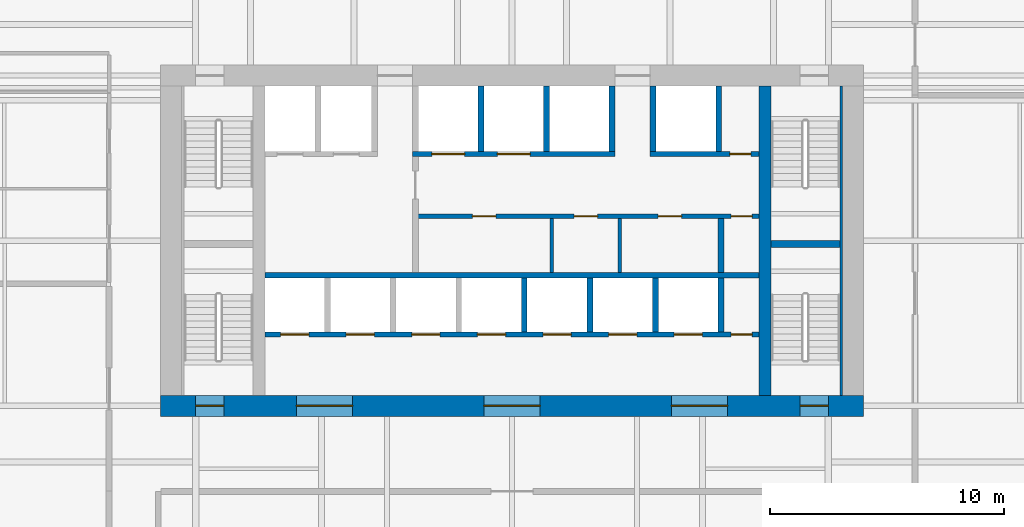
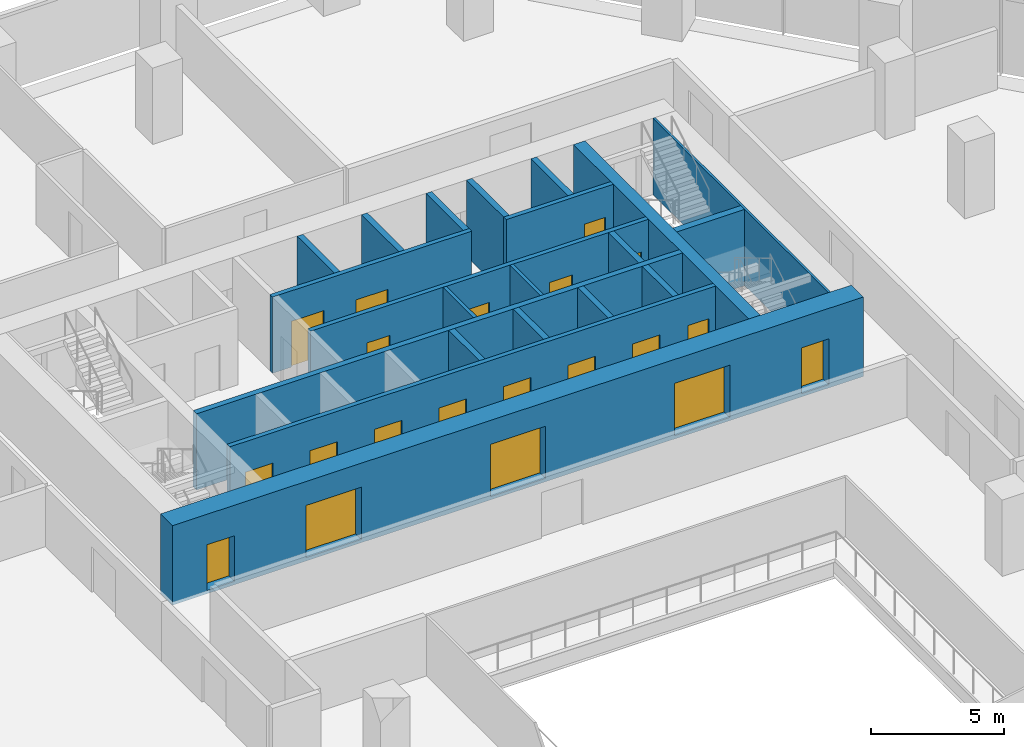
# One storey, part 15 of 19: 21 walls, 20 doors, 20 openings.
"""IFC4 building model written with IfcOpenShell, lengths in metres."""

from ifc_helpers import new_model, si_unit, direction, frame, frame_2d, origin, place, context, subcontext, project, spatial, rectangle, extrude, material, layer, layer_set, type_object, element, fill, save


model = new_model("IFC4")

# Units and contexts
model_context = context("Model", 3, precision=1e-05, world=origin(), true_north=direction((0.0, 1.0)))
body_context = subcontext(model_context, "Body", "Model", "MODEL_VIEW")
ifc_project = project(units=[si_unit("LENGTHUNIT", "METRE"), si_unit("AREAUNIT", "SQUARE_METRE"), si_unit("VOLUMEUNIT", "CUBIC_METRE"), si_unit("PLANEANGLEUNIT", "RADIAN"), si_unit("MASSUNIT", "GRAM", prefix="KILO")], contexts=[model_context])

# Site, building, storey
site_placement = place(None, origin())
site = spatial("IfcSite", under=ifc_project, at=site_placement, CompositionType="ELEMENT")
building_placement = place(site_placement, origin())
building = spatial("IfcBuilding", under=site, at=building_placement, Name="Isthmus Gate Tower", CompositionType="ELEMENT")
storey_placement = place(building_placement, frame((0.0, 0.0, 91.60009765625)))
storey = spatial("IfcBuildingStorey", under=building, at=storey_placement, Name="L21", CompositionType="ELEMENT", Elevation=91.60009765625)

# Wall
ifc_material_1 = material(Name="Concrete f'c 70 MPa", Category="concrete")
ifc_layer_1 = layer(ifc_material_1, 0.5)
ifc_layer_set_1 = layer_set([ifc_layer_1], Name="RC CORE SPINE WALL 500 F'C 70")
wall_type_1 = type_object("IfcWallType", Name="RC CORE SPINE WALL 500 F'C 70", PredefinedType="SOLIDWALL", material=ifc_layer_set_1)
wall_1_placement = place(storey_placement, frame((10.800048828125, 0.89990234375, -0.150146484375), z_axis=(0.0, 0.0, 1.0), x_axis=(0.0, 1.0, 0.0)))
element("IfcWall", 1, at=wall_1_placement, inside=storey, type_object=wall_type_1, Name="str-corewall-L21-SPE", PredefinedType="SOLIDWALL", context=body_context, shape_type="SweptSolid", body=[
    extrude(rectangle(XDim=13.2001953125, YDim=0.5, at=frame_2d((6.60009765625, 0.0))), origin(), (0.0, 0.0, 1.0), 3.650146484375),
])

# Wall, openings, doors
ifc_material_2 = material(Name="Concrete f'c 70 MPa", Category="concrete")
ifc_layer_2 = layer(ifc_material_2, 0.89990234375)
ifc_layer_set_2 = layer_set([ifc_layer_2], Name="RC CORE WALL 900 F'C 70")
wall_type_2 = type_object("IfcWallType", Name="RC CORE WALL 900 F'C 70", PredefinedType="SOLIDWALL", material=ifc_layer_set_2)
wall_2_placement = place(storey_placement, frame((-15.0, 0.449951171875, -0.150146484375), z_axis=(0.0, 0.0, 1.0), x_axis=(1.0, 0.0, 0.0)))
wall_2 = element("IfcWall", 2, at=wall_2_placement, inside=storey, type_object=wall_type_2, Name="str-corewall-L21-S", PredefinedType="SOLIDWALL", context=body_context, shape_type="SweptSolid", body=[
    extrude(rectangle(XDim=30.0, YDim=0.89990234375, at=frame_2d((15.0, 0.0))), origin(), (0.0, 0.0, 1.0), 3.650146484375),
])
opening_1_placement = place(wall_2_placement, frame((5.800048828125, 0.0, 0.14990234375)))
opening_1 = element("IfcOpeningElement", 3, at=opening_1_placement, cuts=wall_2, Name="Opening DC-A02-08", PredefinedType="OPENING", context=body_context, shape_type="SweptSolid", body=[
    extrude(rectangle(XDim=2.39990234375, YDim=2.39990234375, at=frame_2d((1.199951171875, 1.199951171875))), frame((0.0, 0.4599609375, 0.0), z_axis=(0.0, -1.0, 0.0), x_axis=(1.0, 0.0, 0.0)), (0.0, 0.0, 1.0), 0.919921875),
])
opening_2_placement = place(wall_2_placement, frame((13.800048828125, 0.0, 0.14990234375)))
opening_2 = element("IfcOpeningElement", 4, at=opening_2_placement, cuts=wall_2, Name="Opening DC-A02-09", PredefinedType="OPENING", context=body_context, shape_type="SweptSolid", body=[
    extrude(rectangle(XDim=2.39990234375, YDim=2.39990234375, at=frame_2d((1.199951171875, 1.199951171875))), frame((0.0, 0.4599609375, 0.0), z_axis=(0.0, -1.0, 0.0), x_axis=(1.0, 0.0, 0.0)), (0.0, 0.0, 1.0), 0.919921875),
])
opening_3_placement = place(wall_2_placement, frame((21.800048828125, 0.0, 0.14990234375)))
opening_3 = element("IfcOpeningElement", 5, at=opening_3_placement, cuts=wall_2, Name="Opening DC-A02-10", PredefinedType="OPENING", context=body_context, shape_type="SweptSolid", body=[
    extrude(rectangle(XDim=2.39990234375, YDim=2.39990234375, at=frame_2d((1.199951171875, 1.199951171875))), frame((0.0, 0.4599609375, 0.0), z_axis=(0.0, -1.0, 0.0), x_axis=(1.0, 0.0, 0.0)), (0.0, 0.0, 1.0), 0.919921875),
])
opening_4_placement = place(wall_2_placement, frame((1.5, 0.0, 0.14990234375)))
opening_4 = element("IfcOpeningElement", 6, at=opening_4_placement, cuts=wall_2, Name="Opening DC-A02-15", PredefinedType="OPENING", context=body_context, shape_type="SweptSolid", body=[
    extrude(rectangle(XDim=1.199951171875, YDim=2.10009765625, at=frame_2d((0.60009765625, 1.050048828125))), frame((0.0, 0.4599609375, 0.0), z_axis=(0.0, -1.0, 0.0), x_axis=(1.0, 0.0, 0.0)), (0.0, 0.0, 1.0), 0.919921875),
])
opening_5_placement = place(wall_2_placement, frame((27.300048828125, 0.0, 0.14990234375)))
opening_5 = element("IfcOpeningElement", 7, at=opening_5_placement, cuts=wall_2, Name="Opening DC-A02-16", PredefinedType="OPENING", context=body_context, shape_type="SweptSolid", body=[
    extrude(rectangle(XDim=1.199951171875, YDim=2.10009765625, at=frame_2d((0.60009765625, 1.050048828125))), frame((0.0, 0.4599609375, 0.0), z_axis=(0.0, -1.0, 0.0), x_axis=(1.0, 0.0, 0.0)), (0.0, 0.0, 1.0), 0.919921875),
])
ifc_material_3 = material(Name="Laminated safety glass in steel frame, fire-rated", Category="steel")
door_type_1 = type_object("IfcDoorType", Name="LOBBY ENTRANCE FIRE DOOR 2400 X 2400 60 MIN", OperationType="DOUBLE_DOOR_DOUBLE_SWING", PredefinedType="DOOR", material=ifc_material_3)
door_1_placement = place(opening_1_placement, origin())
door_1 = element("IfcDoor", 8, at=door_1_placement, inside=storey, type_object=door_type_1, Name="Lobby Entrance PS-W", OperationType="DOUBLE_DOOR_DOUBLE_SWING", OverallHeight=2.39990234375, OverallWidth=2.39990234375, PredefinedType="DOOR", context=body_context, shape_type="SweptSolid", body=[
    extrude(rectangle(XDim=2.39990234375, YDim=2.39990234375, at=frame_2d((1.199951171875, 1.199951171875))), frame((0.0, 0.02490234375, 0.0), z_axis=(0.0, -1.0, 0.0), x_axis=(1.0, 0.0, 0.0)), (0.0, 0.0, 1.0), 0.050048828125),
])
fill(opening_1, door_1)
door_2_placement = place(opening_2_placement, origin())
door_2 = element("IfcDoor", 9, at=door_2_placement, inside=storey, type_object=door_type_1, Name="Lobby Entrance PS-C", OperationType="DOUBLE_DOOR_DOUBLE_SWING", OverallHeight=2.39990234375, OverallWidth=2.39990234375, PredefinedType="DOOR", context=body_context, shape_type="SweptSolid", body=[
    extrude(rectangle(XDim=2.39990234375, YDim=2.39990234375, at=frame_2d((1.199951171875, 1.199951171875))), frame((0.0, 0.02490234375, 0.0), z_axis=(0.0, -1.0, 0.0), x_axis=(1.0, 0.0, 0.0)), (0.0, 0.0, 1.0), 0.050048828125),
])
fill(opening_2, door_2)
door_3_placement = place(opening_3_placement, origin())
door_3 = element("IfcDoor", 10, at=door_3_placement, inside=storey, type_object=door_type_1, Name="Lobby Entrance PS-E", OperationType="DOUBLE_DOOR_DOUBLE_SWING", OverallHeight=2.39990234375, OverallWidth=2.39990234375, PredefinedType="DOOR", context=body_context, shape_type="SweptSolid", body=[
    extrude(rectangle(XDim=2.39990234375, YDim=2.39990234375, at=frame_2d((1.199951171875, 1.199951171875))), frame((0.0, 0.02490234375, 0.0), z_axis=(0.0, -1.0, 0.0), x_axis=(1.0, 0.0, 0.0)), (0.0, 0.0, 1.0), 0.050048828125),
])
fill(opening_3, door_3)
ifc_material_4 = material(Name="Steel door leaf, fire-rated", Category="steel")
door_type_2 = type_object("IfcDoorType", Name="STAIR FIRE DOOR 1200 X 2100 90 MIN", OperationType="SINGLE_SWING_LEFT", PredefinedType="DOOR", material=ifc_material_4)
door_4_placement = place(opening_4_placement, origin())
door_4 = element("IfcDoor", 11, at=door_4_placement, inside=storey, type_object=door_type_2, Name="Exit Stair 7 Door", OperationType="SINGLE_SWING_LEFT", OverallHeight=2.10009765625, OverallWidth=1.199951171875, PredefinedType="DOOR", context=body_context, shape_type="SweptSolid", body=[
    extrude(rectangle(XDim=1.199951171875, YDim=2.10009765625, at=frame_2d((0.60009765625, 1.050048828125))), frame((0.0, 0.02490234375, 0.0), z_axis=(0.0, -1.0, 0.0), x_axis=(1.0, 0.0, 0.0)), (0.0, 0.0, 1.0), 0.050048828125),
])
fill(opening_4, door_4)
door_5_placement = place(opening_5_placement, origin())
door_5 = element("IfcDoor", 12, at=door_5_placement, inside=storey, type_object=door_type_2, Name="Exit Stair 8 Door", OperationType="SINGLE_SWING_RIGHT", OverallHeight=2.10009765625, OverallWidth=1.199951171875, PredefinedType="DOOR", context=body_context, shape_type="SweptSolid", body=[
    extrude(rectangle(XDim=1.199951171875, YDim=2.10009765625, at=frame_2d((0.60009765625, 1.050048828125))), frame((0.0, 0.02490234375, 0.0), z_axis=(0.0, -1.0, 0.0), x_axis=(1.0, 0.0, 0.0)), (0.0, 0.0, 1.0), 0.050048828125),
])
fill(opening_5, door_5)

# Walls
ifc_material_5 = material(Name="Gypsum board on steel studs, fire-rated", Category="steel")
ifc_layer_3 = layer(ifc_material_5, 0.14990234375)
ifc_layer_set_3 = layer_set([ifc_layer_3], Name="ROOM PARTITION 150 60 MIN")
wall_type_3 = type_object("IfcWallType", Name="ROOM PARTITION 150 60 MIN", PredefinedType="PARTITIONING", material=ifc_layer_set_3)
for number, where, z_axis, x_axis, name in (
    (13, (1.699951171875, 6.14990234375, 0.0), (0.0, 0.0, 1.0), (0.0, 1.0, 0.0), "L21 ROOM PARTITION 150 60 MIN"),
    (14, (4.60009765625, 6.14990234375, 0.0), (0.0, 0.0, 1.0), (0.0, 1.0, 0.0), "L21 ROOM PARTITION 150 60 MIN"),
):
    element("IfcWall", number, at=place(storey_placement, frame(where, z_axis=z_axis, x_axis=x_axis)), inside=storey, type_object=wall_type_3, Name=name, PredefinedType="PARTITIONING", context=body_context, shape_type="SweptSolid", body=[
        extrude(rectangle(XDim=2.300048828125, YDim=0.14990234375, at=frame_2d((1.14990234375, 0.0))), origin(), (0.0, 0.0, 1.0), 3.5),
    ])

# Wall, openings, doors
ifc_material_6 = material(Name="Fire-rated blockwork masonry, 15 MPa", Category="masonry")
ifc_layer_4 = layer(ifc_material_6, 0.199951171875)
ifc_layer_set_4 = layer_set([ifc_layer_4], Name="SHAFT FRONT WALL 200 120 MIN")
wall_type_4 = type_object("IfcWallType", Name="SHAFT FRONT WALL 200 120 MIN", PredefinedType="PARTITIONING", material=ifc_layer_set_4)
wall_3_placement = place(storey_placement, frame((-10.550048828125, 3.5, 0.0), z_axis=(0.0, 0.0, 1.0), x_axis=(1.0, 0.0, 0.0)))
wall_3 = element("IfcWall", 15, at=wall_3_placement, inside=storey, type_object=wall_type_4, Name="L21 SHAFT FRONT WALL 200 120 MIN", PredefinedType="PARTITIONING", context=body_context, shape_type="SweptSolid", body=[
    extrude(rectangle(XDim=21.10009765625, YDim=0.199951171875, at=frame_2d((10.550048828125, 0.0))), origin(), (0.0, 0.0, 1.0), 3.5),
])
opening_6_placement = place(wall_3_placement, frame((0.675048828125, 0.0, 0.0)))
opening_6 = element("IfcOpeningElement", 16, at=opening_6_placement, cuts=wall_3, Name="Opening LD-LA1", PredefinedType="OPENING", context=body_context, shape_type="SweptSolid", body=[
    extrude(rectangle(XDim=1.199951171875, YDim=2.10009765625, at=frame_2d((0.60009765625, 1.050048828125))), frame((0.0, 0.10986328125, 0.0), z_axis=(0.0, -1.0, 0.0), x_axis=(1.0, 0.0, 0.0)), (0.0, 0.0, 1.0), 0.219970703125),
])
opening_7_placement = place(wall_3_placement, frame((3.47509765625, 0.0, 0.0)))
opening_7 = element("IfcOpeningElement", 17, at=opening_7_placement, cuts=wall_3, Name="Opening LD-LA2", PredefinedType="OPENING", context=body_context, shape_type="SweptSolid", body=[
    extrude(rectangle(XDim=1.199951171875, YDim=2.10009765625, at=frame_2d((0.60009765625, 1.050048828125))), frame((0.0, 0.10986328125, 0.0), z_axis=(0.0, -1.0, 0.0), x_axis=(1.0, 0.0, 0.0)), (0.0, 0.0, 1.0), 0.219970703125),
])
opening_8_placement = place(wall_3_placement, frame((6.27490234375, 0.0, 0.0)))
opening_8 = element("IfcOpeningElement", 18, at=opening_8_placement, cuts=wall_3, Name="Opening LD-LA3", PredefinedType="OPENING", context=body_context, shape_type="SweptSolid", body=[
    extrude(rectangle(XDim=1.199951171875, YDim=2.10009765625, at=frame_2d((0.60009765625, 1.050048828125))), frame((0.0, 0.10986328125, 0.0), z_axis=(0.0, -1.0, 0.0), x_axis=(1.0, 0.0, 0.0)), (0.0, 0.0, 1.0), 0.219970703125),
])
opening_9_placement = place(wall_3_placement, frame((9.074951171875, 0.0, 0.0)))
opening_9 = element("IfcOpeningElement", 19, at=opening_9_placement, cuts=wall_3, Name="Opening LD-LA4", PredefinedType="OPENING", context=body_context, shape_type="SweptSolid", body=[
    extrude(rectangle(XDim=1.199951171875, YDim=2.10009765625, at=frame_2d((0.60009765625, 1.050048828125))), frame((0.0, 0.10986328125, 0.0), z_axis=(0.0, -1.0, 0.0), x_axis=(1.0, 0.0, 0.0)), (0.0, 0.0, 1.0), 0.219970703125),
])
opening_10_placement = place(wall_3_placement, frame((11.875, 0.0, 0.0)))
opening_10 = element("IfcOpeningElement", 20, at=opening_10_placement, cuts=wall_3, Name="Opening LD-LA5", PredefinedType="OPENING", context=body_context, shape_type="SweptSolid", body=[
    extrude(rectangle(XDim=1.199951171875, YDim=2.10009765625, at=frame_2d((0.60009765625, 1.050048828125))), frame((0.0, 0.10986328125, 0.0), z_axis=(0.0, -1.0, 0.0), x_axis=(1.0, 0.0, 0.0)), (0.0, 0.0, 1.0), 0.219970703125),
])
opening_11_placement = place(wall_3_placement, frame((14.675048828125, 0.0, 0.0)))
opening_11 = element("IfcOpeningElement", 21, at=opening_11_placement, cuts=wall_3, Name="Opening LD-LA6", PredefinedType="OPENING", context=body_context, shape_type="SweptSolid", body=[
    extrude(rectangle(XDim=1.199951171875, YDim=2.10009765625, at=frame_2d((0.60009765625, 1.050048828125))), frame((0.0, 0.10986328125, 0.0), z_axis=(0.0, -1.0, 0.0), x_axis=(1.0, 0.0, 0.0)), (0.0, 0.0, 1.0), 0.219970703125),
])
opening_12_placement = place(wall_3_placement, frame((17.47509765625, 0.0, 0.0)))
opening_12 = element("IfcOpeningElement", 22, at=opening_12_placement, cuts=wall_3, Name="Opening LD-LA7", PredefinedType="OPENING", context=body_context, shape_type="SweptSolid", body=[
    extrude(rectangle(XDim=1.199951171875, YDim=2.10009765625, at=frame_2d((0.60009765625, 1.050048828125))), frame((0.0, 0.10986328125, 0.0), z_axis=(0.0, -1.0, 0.0), x_axis=(1.0, 0.0, 0.0)), (0.0, 0.0, 1.0), 0.219970703125),
])
opening_13_placement = place(wall_3_placement, frame((19.89990234375, 0.0, 0.0)))
opening_13 = element("IfcOpeningElement", 23, at=opening_13_placement, cuts=wall_3, Name="Opening DC-A02-02", PredefinedType="OPENING", context=body_context, shape_type="SweptSolid", body=[
    extrude(rectangle(XDim=0.89990234375, YDim=2.10009765625, at=frame_2d((0.449951171875, 1.050048828125))), frame((0.0, 0.10986328125, 0.0), z_axis=(0.0, -1.0, 0.0), x_axis=(1.0, 0.0, 0.0)), (0.0, 0.0, 1.0), 0.219970703125),
])
ifc_material_7 = material(Name="Stainless steel sliding leaf", Category="steel")
door_type_3 = type_object("IfcDoorType", Name="LIFT LANDING FIRE DOOR 1200 X 2100 90 MIN", OperationType="DOUBLE_DOOR_SLIDING", PredefinedType="DOOR", material=ifc_material_7)
door_6_placement = place(opening_6_placement, origin())
door_6 = element("IfcDoor", 24, at=door_6_placement, inside=storey, type_object=door_type_3, Name="Lift Landing Door LA1", OperationType="DOUBLE_DOOR_SLIDING", OverallHeight=2.10009765625, OverallWidth=1.199951171875, PredefinedType="DOOR", context=body_context, shape_type="SweptSolid", body=[
    extrude(rectangle(XDim=1.199951171875, YDim=2.10009765625, at=frame_2d((0.60009765625, 1.050048828125))), frame((0.0, 0.02490234375, 0.0), z_axis=(0.0, -1.0, 0.0), x_axis=(1.0, 0.0, 0.0)), (0.0, 0.0, 1.0), 0.050048828125),
])
fill(opening_6, door_6)
door_7_placement = place(opening_7_placement, origin())
door_7 = element("IfcDoor", 25, at=door_7_placement, inside=storey, type_object=door_type_3, Name="Lift Landing Door LA2", OperationType="DOUBLE_DOOR_SLIDING", OverallHeight=2.10009765625, OverallWidth=1.199951171875, PredefinedType="DOOR", context=body_context, shape_type="SweptSolid", body=[
    extrude(rectangle(XDim=1.199951171875, YDim=2.10009765625, at=frame_2d((0.60009765625, 1.050048828125))), frame((0.0, 0.02490234375, 0.0), z_axis=(0.0, -1.0, 0.0), x_axis=(1.0, 0.0, 0.0)), (0.0, 0.0, 1.0), 0.050048828125),
])
fill(opening_7, door_7)
door_8_placement = place(opening_8_placement, origin())
door_8 = element("IfcDoor", 26, at=door_8_placement, inside=storey, type_object=door_type_3, Name="Lift Landing Door LA3", OperationType="DOUBLE_DOOR_SLIDING", OverallHeight=2.10009765625, OverallWidth=1.199951171875, PredefinedType="DOOR", context=body_context, shape_type="SweptSolid", body=[
    extrude(rectangle(XDim=1.199951171875, YDim=2.10009765625, at=frame_2d((0.60009765625, 1.050048828125))), frame((0.0, 0.02490234375, 0.0), z_axis=(0.0, -1.0, 0.0), x_axis=(1.0, 0.0, 0.0)), (0.0, 0.0, 1.0), 0.050048828125),
])
fill(opening_8, door_8)
door_9_placement = place(opening_9_placement, origin())
door_9 = element("IfcDoor", 27, at=door_9_placement, inside=storey, type_object=door_type_3, Name="Lift Landing Door LA4", OperationType="DOUBLE_DOOR_SLIDING", OverallHeight=2.10009765625, OverallWidth=1.199951171875, PredefinedType="DOOR", context=body_context, shape_type="SweptSolid", body=[
    extrude(rectangle(XDim=1.199951171875, YDim=2.10009765625, at=frame_2d((0.60009765625, 1.050048828125))), frame((0.0, 0.02490234375, 0.0), z_axis=(0.0, -1.0, 0.0), x_axis=(1.0, 0.0, 0.0)), (0.0, 0.0, 1.0), 0.050048828125),
])
fill(opening_9, door_9)
door_10_placement = place(opening_10_placement, origin())
door_10 = element("IfcDoor", 28, at=door_10_placement, inside=storey, type_object=door_type_3, Name="Lift Landing Door LA5", OperationType="DOUBLE_DOOR_SLIDING", OverallHeight=2.10009765625, OverallWidth=1.199951171875, PredefinedType="DOOR", context=body_context, shape_type="SweptSolid", body=[
    extrude(rectangle(XDim=1.199951171875, YDim=2.10009765625, at=frame_2d((0.60009765625, 1.050048828125))), frame((0.0, 0.02490234375, 0.0), z_axis=(0.0, -1.0, 0.0), x_axis=(1.0, 0.0, 0.0)), (0.0, 0.0, 1.0), 0.050048828125),
])
fill(opening_10, door_10)
door_11_placement = place(opening_11_placement, origin())
door_11 = element("IfcDoor", 29, at=door_11_placement, inside=storey, type_object=door_type_3, Name="Lift Landing Door LA6", OperationType="DOUBLE_DOOR_SLIDING", OverallHeight=2.10009765625, OverallWidth=1.199951171875, PredefinedType="DOOR", context=body_context, shape_type="SweptSolid", body=[
    extrude(rectangle(XDim=1.199951171875, YDim=2.10009765625, at=frame_2d((0.60009765625, 1.050048828125))), frame((0.0, 0.02490234375, 0.0), z_axis=(0.0, -1.0, 0.0), x_axis=(1.0, 0.0, 0.0)), (0.0, 0.0, 1.0), 0.050048828125),
])
fill(opening_11, door_11)
door_12_placement = place(opening_12_placement, origin())
door_12 = element("IfcDoor", 30, at=door_12_placement, inside=storey, type_object=door_type_3, Name="Lift Landing Door LA7", OperationType="DOUBLE_DOOR_SLIDING", OverallHeight=2.10009765625, OverallWidth=1.199951171875, PredefinedType="DOOR", context=body_context, shape_type="SweptSolid", body=[
    extrude(rectangle(XDim=1.199951171875, YDim=2.10009765625, at=frame_2d((0.60009765625, 1.050048828125))), frame((0.0, 0.02490234375, 0.0), z_axis=(0.0, -1.0, 0.0), x_axis=(1.0, 0.0, 0.0)), (0.0, 0.0, 1.0), 0.050048828125),
])
fill(opening_12, door_12)
ifc_material_8 = material(Name="Steel door leaf, fire-rated", Category="steel")
door_type_4 = type_object("IfcDoorType", Name="RISER FIRE DOOR 900 X 2100 90 MIN", OperationType="SINGLE_SWING_LEFT", PredefinedType="DOOR", material=ifc_material_8)
door_13_placement = place(opening_13_placement, origin())
door_13 = element("IfcDoor", 31, at=door_13_placement, inside=storey, type_object=door_type_4, Name="Riser Door", OperationType="SINGLE_SWING_RIGHT", OverallHeight=2.10009765625, OverallWidth=0.89990234375, PredefinedType="DOOR", context=body_context, shape_type="SweptSolid", body=[
    extrude(rectangle(XDim=0.89990234375, YDim=2.10009765625, at=frame_2d((0.449951171875, 1.050048828125))), frame((0.0, 0.02490234375, 0.0), z_axis=(0.0, -1.0, 0.0), x_axis=(1.0, 0.0, 0.0)), (0.0, 0.0, 1.0), 0.050048828125),
])
fill(opening_13, door_13)

wall_4_placement = place(storey_placement, frame((-4.125, 8.550048828125, 0.0), z_axis=(0.0, 0.0, 1.0), x_axis=(1.0, 0.0, 0.0)))
wall_4 = element("IfcWall", 32, at=wall_4_placement, inside=storey, type_object=wall_type_4, Name="L21 SHAFT FRONT WALL 200 120 MIN", PredefinedType="PARTITIONING", context=body_context, shape_type="SweptSolid", body=[
    extrude(rectangle(XDim=14.675048828125, YDim=0.199951171875, at=frame_2d((7.33740234375, 0.0))), origin(), (0.0, 0.0, 1.0), 3.5),
])
opening_14_placement = place(wall_4_placement, frame((2.4375, 0.0, 0.0)))
opening_14 = element("IfcOpeningElement", 33, at=opening_14_placement, cuts=wall_4, Name="Opening DC-A02-03", PredefinedType="OPENING", context=body_context, shape_type="SweptSolid", body=[
    extrude(rectangle(XDim=1.0, YDim=2.10009765625, at=frame_2d((0.5, 1.050048828125))), frame((0.0, 0.10986328125, 0.0), z_axis=(0.0, -1.0, 0.0), x_axis=(1.0, 0.0, 0.0)), (0.0, 0.0, 1.0), 0.219970703125),
])
opening_15_placement = place(wall_4_placement, frame((6.77490234375, 0.0, 0.0)))
opening_15 = element("IfcOpeningElement", 34, at=opening_15_placement, cuts=wall_4, Name="Opening DC-A02-04", PredefinedType="OPENING", context=body_context, shape_type="SweptSolid", body=[
    extrude(rectangle(XDim=1.0, YDim=2.10009765625, at=frame_2d((0.5, 1.050048828125))), frame((0.0, 0.10986328125, 0.0), z_axis=(0.0, -1.0, 0.0), x_axis=(1.0, 0.0, 0.0)), (0.0, 0.0, 1.0), 0.219970703125),
])
opening_16_placement = place(wall_4_placement, frame((10.362548828125, 0.0, 0.0)))
opening_16 = element("IfcOpeningElement", 35, at=opening_16_placement, cuts=wall_4, Name="Opening DC-A02-05", PredefinedType="OPENING", context=body_context, shape_type="SweptSolid", body=[
    extrude(rectangle(XDim=1.0, YDim=2.10009765625, at=frame_2d((0.5, 1.050048828125))), frame((0.0, 0.10986328125, 0.0), z_axis=(0.0, -1.0, 0.0), x_axis=(1.0, 0.0, 0.0)), (0.0, 0.0, 1.0), 0.219970703125),
])
opening_17_placement = place(wall_4_placement, frame((13.47509765625, 0.0, 0.0)))
opening_17 = element("IfcOpeningElement", 36, at=opening_17_placement, cuts=wall_4, Name="Opening DC-A02-06", PredefinedType="OPENING", context=body_context, shape_type="SweptSolid", body=[
    extrude(rectangle(XDim=0.89990234375, YDim=2.10009765625, at=frame_2d((0.449951171875, 1.050048828125))), frame((0.0, 0.10986328125, 0.0), z_axis=(0.0, -1.0, 0.0), x_axis=(1.0, 0.0, 0.0)), (0.0, 0.0, 1.0), 0.219970703125),
])
ifc_material_9 = material(Name="Steel door leaf, fire-rated", Category="steel")
door_type_5 = type_object("IfcDoorType", Name="FIRE DOOR 1000 X 2100 60 MIN", OperationType="SINGLE_SWING_LEFT", PredefinedType="DOOR", material=ifc_material_9)
door_14_placement = place(opening_14_placement, origin())
door_14 = element("IfcDoor", 37, at=door_14_placement, inside=storey, type_object=door_type_5, Name="WC Women Door", OperationType="SINGLE_SWING_LEFT", OverallHeight=2.10009765625, OverallWidth=1.0, PredefinedType="DOOR", context=body_context, shape_type="SweptSolid", body=[
    extrude(rectangle(XDim=1.0, YDim=2.10009765625, at=frame_2d((0.5, 1.050048828125))), frame((0.0, 0.02490234375, 0.0), z_axis=(0.0, -1.0, 0.0), x_axis=(1.0, 0.0, 0.0)), (0.0, 0.0, 1.0), 0.050048828125),
])
fill(opening_14, door_14)
door_15_placement = place(opening_15_placement, origin())
door_15 = element("IfcDoor", 38, at=door_15_placement, inside=storey, type_object=door_type_5, Name="Accessible WC Door", OperationType="SINGLE_SWING_RIGHT", OverallHeight=2.10009765625, OverallWidth=1.0, PredefinedType="DOOR", context=body_context, shape_type="SweptSolid", body=[
    extrude(rectangle(XDim=1.0, YDim=2.10009765625, at=frame_2d((0.5, 1.050048828125))), frame((0.0, 0.02490234375, 0.0), z_axis=(0.0, -1.0, 0.0), x_axis=(1.0, 0.0, 0.0)), (0.0, 0.0, 1.0), 0.050048828125),
])
fill(opening_15, door_15)
door_16_placement = place(opening_16_placement, origin())
door_16 = element("IfcDoor", 39, at=door_16_placement, inside=storey, type_object=door_type_5, Name="WC Men Door", OperationType="SINGLE_SWING_LEFT", OverallHeight=2.10009765625, OverallWidth=1.0, PredefinedType="DOOR", context=body_context, shape_type="SweptSolid", body=[
    extrude(rectangle(XDim=1.0, YDim=2.10009765625, at=frame_2d((0.5, 1.050048828125))), frame((0.0, 0.02490234375, 0.0), z_axis=(0.0, -1.0, 0.0), x_axis=(1.0, 0.0, 0.0)), (0.0, 0.0, 1.0), 0.050048828125),
])
fill(opening_16, door_16)
door_17_placement = place(opening_17_placement, origin())
door_17 = element("IfcDoor", 40, at=door_17_placement, inside=storey, type_object=door_type_4, Name="Riser Door", OperationType="SINGLE_SWING_RIGHT", OverallHeight=2.10009765625, OverallWidth=0.89990234375, PredefinedType="DOOR", context=body_context, shape_type="SweptSolid", body=[
    extrude(rectangle(XDim=0.89990234375, YDim=2.10009765625, at=frame_2d((0.449951171875, 1.050048828125))), frame((0.0, 0.02490234375, 0.0), z_axis=(0.0, -1.0, 0.0), x_axis=(1.0, 0.0, 0.0)), (0.0, 0.0, 1.0), 0.050048828125),
])
fill(opening_17, door_17)

wall_5_placement = place(storey_placement, frame((-4.25, 11.199951171875, 0.0), z_axis=(0.0, 0.0, 1.0), x_axis=(1.0, 0.0, 0.0)))
wall_5 = element("IfcWall", 41, at=wall_5_placement, inside=storey, type_object=wall_type_4, Name="L21 SHAFT FRONT WALL 200 120 MIN", PredefinedType="PARTITIONING", context=body_context, shape_type="SweptSolid", body=[
    extrude(rectangle(XDim=8.64990234375, YDim=0.199951171875, at=frame_2d((4.324951171875, 0.0))), origin(), (0.0, 0.0, 1.0), 3.5),
])
opening_18_placement = place(wall_5_placement, frame((0.824951171875, 0.0, 0.0)))
opening_18 = element("IfcOpeningElement", 42, at=opening_18_placement, cuts=wall_5, Name="Opening LD-LV1", PredefinedType="OPENING", context=body_context, shape_type="SweptSolid", body=[
    extrude(rectangle(XDim=1.39990234375, YDim=2.10009765625, at=frame_2d((0.699951171875, 1.050048828125))), frame((0.0, 0.10986328125, 0.0), z_axis=(0.0, -1.0, 0.0), x_axis=(1.0, 0.0, 0.0)), (0.0, 0.0, 1.0), 0.219970703125),
])
opening_19_placement = place(wall_5_placement, frame((3.625, 0.0, 0.0)))
opening_19 = element("IfcOpeningElement", 43, at=opening_19_placement, cuts=wall_5, Name="Opening LD-LV2", PredefinedType="OPENING", context=body_context, shape_type="SweptSolid", body=[
    extrude(rectangle(XDim=1.39990234375, YDim=2.10009765625, at=frame_2d((0.699951171875, 1.050048828125))), frame((0.0, 0.10986328125, 0.0), z_axis=(0.0, -1.0, 0.0), x_axis=(1.0, 0.0, 0.0)), (0.0, 0.0, 1.0), 0.219970703125),
])
ifc_material_10 = material(Name="Stainless steel sliding leaf", Category="steel")
door_type_6 = type_object("IfcDoorType", Name="LIFT LANDING FIRE DOOR 1400 X 2100 90 MIN", OperationType="DOUBLE_DOOR_SLIDING", PredefinedType="DOOR", material=ifc_material_10)
door_18_placement = place(opening_18_placement, origin())
door_18 = element("IfcDoor", 44, at=door_18_placement, inside=storey, type_object=door_type_6, Name="Lift Landing Door LV1", OperationType="DOUBLE_DOOR_SLIDING", OverallHeight=2.10009765625, OverallWidth=1.39990234375, PredefinedType="DOOR", context=body_context, shape_type="SweptSolid", body=[
    extrude(rectangle(XDim=1.39990234375, YDim=2.10009765625, at=frame_2d((0.699951171875, 1.050048828125))), frame((0.0, 0.02490234375, 0.0), z_axis=(0.0, -1.0, 0.0), x_axis=(1.0, 0.0, 0.0)), (0.0, 0.0, 1.0), 0.050048828125),
])
fill(opening_18, door_18)
door_19_placement = place(opening_19_placement, origin())
door_19 = element("IfcDoor", 45, at=door_19_placement, inside=storey, type_object=door_type_6, Name="Lift Landing Door LV2", OperationType="DOUBLE_DOOR_SLIDING", OverallHeight=2.10009765625, OverallWidth=1.39990234375, PredefinedType="DOOR", context=body_context, shape_type="SweptSolid", body=[
    extrude(rectangle(XDim=1.39990234375, YDim=2.10009765625, at=frame_2d((0.699951171875, 1.050048828125))), frame((0.0, 0.02490234375, 0.0), z_axis=(0.0, -1.0, 0.0), x_axis=(1.0, 0.0, 0.0)), (0.0, 0.0, 1.0), 0.050048828125),
])
fill(opening_19, door_19)

# Wall, opening, door
wall_6_placement = place(storey_placement, frame((5.89990234375, 11.199951171875, 0.0), z_axis=(0.0, 0.0, 1.0), x_axis=(1.0, 0.0, 0.0)))
wall_6 = element("IfcWall", 46, at=wall_6_placement, inside=storey, type_object=wall_type_4, Name="L21 SHAFT FRONT WALL 200 120 MIN", PredefinedType="PARTITIONING", context=body_context, shape_type="SweptSolid", body=[
    extrude(rectangle(XDim=4.650146484375, YDim=0.199951171875, at=frame_2d((2.3251953125, 0.0))), origin(), (0.0, 0.0, 1.0), 3.5),
])
opening_20_placement = place(wall_6_placement, frame((3.39990234375, 0.0, 0.0)))
opening_20 = element("IfcOpeningElement", 47, at=opening_20_placement, cuts=wall_6, Name="Opening DC-A02-07", PredefinedType="OPENING", context=body_context, shape_type="SweptSolid", body=[
    extrude(rectangle(XDim=0.89990234375, YDim=2.10009765625, at=frame_2d((0.449951171875, 1.050048828125))), frame((0.0, 0.10986328125, 0.0), z_axis=(0.0, -1.0, 0.0), x_axis=(1.0, 0.0, 0.0)), (0.0, 0.0, 1.0), 0.219970703125),
])
door_20_placement = place(opening_20_placement, origin())
door_20 = element("IfcDoor", 48, at=door_20_placement, inside=storey, type_object=door_type_4, Name="Riser Door", OperationType="SINGLE_SWING_LEFT", OverallHeight=2.10009765625, OverallWidth=0.89990234375, PredefinedType="DOOR", context=body_context, shape_type="SweptSolid", body=[
    extrude(rectangle(XDim=0.89990234375, YDim=2.10009765625, at=frame_2d((0.449951171875, 1.050048828125))), frame((0.0, 0.02490234375, 0.0), z_axis=(0.0, -1.0, 0.0), x_axis=(1.0, 0.0, 0.0)), (0.0, 0.0, 1.0), 0.050048828125),
])
fill(opening_20, door_20)

# Walls
ifc_material_11 = material(Name="Fire-rated blockwork masonry, 15 MPa", Category="masonry")
ifc_layer_5 = layer(ifc_material_11, 0.25)
ifc_layer_set_5 = layer_set([ifc_layer_5], Name="SHAFT WALL 250 120 MIN")
wall_type_5 = type_object("IfcWallType", Name="SHAFT WALL 250 120 MIN", PredefinedType="PARTITIONING", material=ifc_layer_set_5)
wall_7_placement = place(storey_placement, frame((-10.550048828125, 6.02490234375, 0.0), z_axis=(0.0, 0.0, 1.0), x_axis=(1.0, 0.0, 0.0)))
element("IfcWall", 49, at=wall_7_placement, inside=storey, type_object=wall_type_5, Name="L21 SHAFT WALL 250 120 MIN", PredefinedType="PARTITIONING", context=body_context, shape_type="SweptSolid", body=[
    extrude(rectangle(XDim=21.10009765625, YDim=0.25, at=frame_2d((10.550048828125, 0.0))), origin(), (0.0, 0.0, 1.0), 3.5),
])
for number, where, z_axis, x_axis, name in (
    (50, (0.52490234375, 3.60009765625, 0.0), (0.0, 0.0, 1.0), (0.0, 1.0, 0.0), "L21 SHAFT WALL 250 120 MIN"),
    (51, (3.324951171875, 3.60009765625, 0.0), (0.0, 0.0, 1.0), (0.0, 1.0, 0.0), "L21 SHAFT WALL 250 120 MIN"),
    (52, (6.125, 3.60009765625, 0.0), (0.0, 0.0, 1.0), (0.0, 1.0, 0.0), "L21 SHAFT WALL 250 120 MIN"),
    (53, (8.925048828125, 3.60009765625, 0.0), (0.0, 0.0, 1.0), (0.0, 1.0, 0.0), "L21 SHAFT WALL 250 120 MIN"),
):
    element("IfcWall", number, at=place(storey_placement, frame(where, z_axis=z_axis, x_axis=x_axis)), inside=storey, type_object=wall_type_5, Name=name, PredefinedType="PARTITIONING", context=body_context, shape_type="SweptSolid", body=[
        extrude(rectangle(XDim=2.2998046875, YDim=0.25, at=frame_2d((1.14990234375, 0.0))), origin(), (0.0, 0.0, 1.0), 3.5),
    ])
wall_8_placement = place(storey_placement, frame((8.925048828125, 6.14990234375, 0.0), z_axis=(0.0, 0.0, 1.0), x_axis=(0.0, 1.0, 0.0)))
element("IfcWall", 54, at=wall_8_placement, inside=storey, type_object=wall_type_5, Name="L21 SHAFT WALL 250 120 MIN", PredefinedType="PARTITIONING", context=body_context, shape_type="SweptSolid", body=[
    extrude(rectangle(XDim=2.300048828125, YDim=0.25, at=frame_2d((1.14990234375, 0.0))), origin(), (0.0, 0.0, 1.0), 3.5),
])
for number, where, z_axis, x_axis, name in (
    (55, (-1.324951171875, 11.300048828125, 0.0), (0.0, 0.0, 1.0), (0.0, 1.0, 0.0), "L21 SHAFT WALL 250 120 MIN"),
    (56, (1.47509765625, 11.300048828125, 0.0), (0.0, 0.0, 1.0), (0.0, 1.0, 0.0), "L21 SHAFT WALL 250 120 MIN"),
    (57, (4.27490234375, 11.300048828125, 0.0), (0.0, 0.0, 1.0), (0.0, 1.0, 0.0), "L21 SHAFT WALL 250 120 MIN"),
    (58, (6.02490234375, 11.300048828125, 0.0), (0.0, 0.0, 1.0), (0.0, 1.0, 0.0), "L21 SHAFT WALL 250 120 MIN"),
    (59, (8.824951171875, 11.300048828125, 0.0), (0.0, 0.0, 1.0), (0.0, 1.0, 0.0), "L21 SHAFT WALL 250 120 MIN"),
):
    element("IfcWall", number, at=place(storey_placement, frame(where, z_axis=z_axis, x_axis=x_axis)), inside=storey, type_object=wall_type_5, Name=name, PredefinedType="PARTITIONING", context=body_context, shape_type="SweptSolid", body=[
        extrude(rectangle(XDim=2.800048828125, YDim=0.25, at=frame_2d((1.39990234375, 0.0))), origin(), (0.0, 0.0, 1.0), 3.5),
    ])
ifc_material_12 = material(Name="Concrete f'c 40 MPa", Category="concrete")
ifc_layer_6 = layer(ifc_material_12, 0.10009765625)
ifc_layer_set_6 = layer_set([ifc_layer_6], Name="STAIR ENCLOSURE WALL 100 180 MIN")
wall_type_6 = type_object("IfcWallType", Name="STAIR ENCLOSURE WALL 100 180 MIN", PredefinedType="SOLIDWALL", material=ifc_layer_set_6)
wall_9_placement = place(storey_placement, frame((14.050048828125, 0.89990234375, 0.0), z_axis=(0.0, 0.0, 1.0), x_axis=(0.0, 1.0, 0.0)))
element("IfcWall", 60, at=wall_9_placement, inside=storey, type_object=wall_type_6, Name="L21 STAIR ENCLOSURE WALL 100 180 MIN", PredefinedType="SOLIDWALL", context=body_context, shape_type="SweptSolid", body=[
    extrude(rectangle(XDim=13.2001953125, YDim=0.10009765625, at=frame_2d((6.60009765625, 0.0))), origin(), (0.0, 0.0, 1.0), 3.5),
])
ifc_material_13 = material(Name="Concrete f'c 40 MPa", Category="concrete")
ifc_layer_7 = layer(ifc_material_13, 0.300048828125)
ifc_layer_set_7 = layer_set([ifc_layer_7], Name="STAIR ENCLOSURE WALL 300 180 MIN")
wall_type_7 = type_object("IfcWallType", Name="STAIR ENCLOSURE WALL 300 180 MIN", PredefinedType="SOLIDWALL", material=ifc_layer_set_7)
wall_10_placement = place(storey_placement, frame((11.050048828125, 7.35009765625, 0.0), z_axis=(0.0, 0.0, 1.0), x_axis=(1.0, 0.0, 0.0)))
element("IfcWall", 61, at=wall_10_placement, inside=storey, type_object=wall_type_7, Name="L21 STAIR ENCLOSURE WALL 300 180 MIN", PredefinedType="SOLIDWALL", context=body_context, shape_type="SweptSolid", body=[
    extrude(rectangle(XDim=2.949951171875, YDim=0.300048828125, at=frame_2d((1.47509765625, 0.0))), origin(), (0.0, 0.0, 1.0), 3.5),
])

save(model, "model.ifc")
